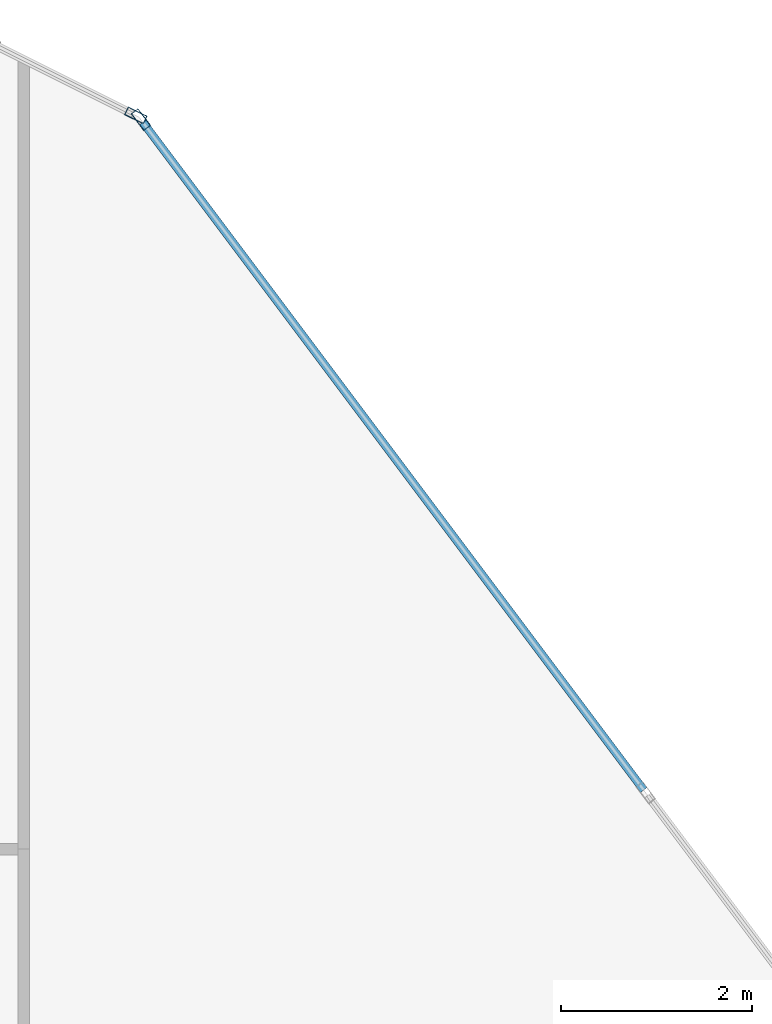
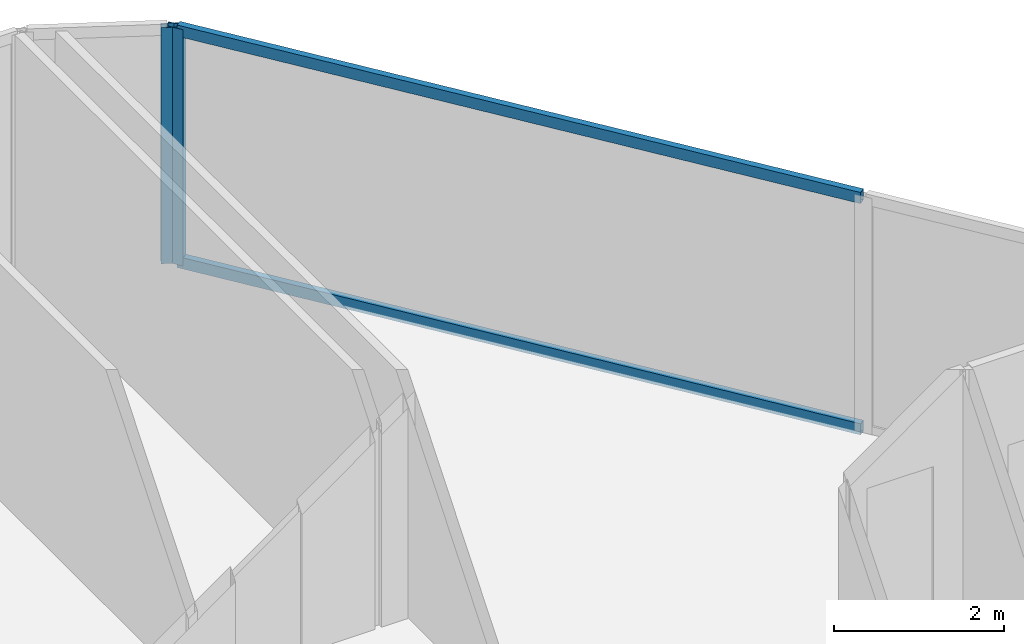
# One storey, part 17 of 33: 4 members, 2 elements without a shape of their own.
"""IFC4 building model written with IfcOpenShell, lengths in metres."""

from ifc_helpers import new_model, si_unit, direction, frame, origin, origin_2d, place, context, subcontext, project, spatial, hollow_rectangle, extrude, material, layer, layer_set, material_profile, profile_set, type_object, element, aggregate, save


model = new_model("IFC4")

# Units and contexts
model_context = context("Model", 3, precision=1e-05, world=origin(), true_north=direction((0.0, 1.0)))
body_context = subcontext(model_context, "Body", "Model", "MODEL_VIEW")
ifc_project = project(units=[si_unit("LENGTHUNIT", "METRE"), si_unit("AREAUNIT", "SQUARE_METRE"), si_unit("VOLUMEUNIT", "CUBIC_METRE"), si_unit("PLANEANGLEUNIT", "RADIAN"), si_unit("MASSUNIT", "GRAM", prefix="KILO")], contexts=[model_context])

# Site, building, storey
site_placement = place(None, origin())
site = spatial("IfcSite", under=ifc_project, at=site_placement, CompositionType="ELEMENT")
building_placement = place(site_placement, origin())
building = spatial("IfcBuilding", under=site, at=building_placement, Name="Keshet Zoharim Tower", CompositionType="ELEMENT")
storey_placement = place(building_placement, frame((0.0, 0.0, 35.10009765625)))
storey = spatial("IfcBuildingStorey", under=building, at=storey_placement, Name="L07", CompositionType="ELEMENT", Elevation=35.10009765625)

# Curtain wall, member
ifc_material = material(Name="Aluminium 6063-T6", Category="aluminium")
ifc_layer = layer(ifc_material, 0.169921875)
ifc_layer_set = layer_set([ifc_layer], Name="Aluminium 6063-T6")
curtain_wall_type = type_object("IfcCurtainWallType", Name="CW-SYS-02", PredefinedType="NOTDEFINED", material=ifc_layer_set)
curtain_wall_1_placement = place(storey_placement, origin())
curtain_wall_1 = element("IfcCurtainWall", 1, at=curtain_wall_1_placement, inside=storey, type_object=curtain_wall_type, Name="L07 Unitised Curtain Wall 08", PredefinedType="NOTDEFINED")
ifc_material_profile_1 = material_profile(ifc_material, hollow_rectangle(XDim=0.090087890625, YDim=0.219970703125, WallThickness=0.0048828125, at=origin_2d()), Name="MUL-90x220")
ifc_profile_set_1 = profile_set([ifc_material_profile_1], Name="Aluminium 6063-T6")
member_type_1 = type_object("IfcMemberType", Name="CWM-M22", PredefinedType="MULLION", material=ifc_profile_set_1)
member_1_placement = place(storey_placement, frame((51.568603515625, 53.11572265625, 0.0), z_axis=(0.0, 0.0, 1.0), x_axis=(0.447213595499, 0.894427191001, 0.0)))
member_1 = element("IfcMember", 2, at=member_1_placement, type_object=member_type_1, Name="CW-02 mullion 2", PredefinedType="MULLION", context=body_context, shape_type="SweptSolid", body=[
    extrude(hollow_rectangle(XDim=0.090087890625, YDim=0.219970703125, WallThickness=0.0048828125, at=origin_2d()), origin(), (0.0, 0.0, 1.0), 3.385009765625),
])
aggregate(curtain_wall_1, [member_1])

# Curtain wall, members
curtain_wall_2_placement = place(storey_placement, origin())
curtain_wall_2 = element("IfcCurtainWall", 3, at=curtain_wall_2_placement, inside=storey, type_object=curtain_wall_type, Name="L07 Unitised Curtain Wall 09", PredefinedType="NOTDEFINED")
member_2_placement = place(storey_placement, frame((51.62109375, 53.072021484375, 0.0), z_axis=(0.0, 0.0, 1.0), x_axis=(0.799999999998, 0.600000000002, 0.0)))
member_2 = element("IfcMember", 4, at=member_2_placement, type_object=member_type_1, Name="CW-02 mullion 1", PredefinedType="MULLION", context=body_context, shape_type="SweptSolid", body=[
    extrude(hollow_rectangle(XDim=0.090087890625, YDim=0.219970703125, WallThickness=0.0048828125, at=origin_2d()), origin(), (0.0, 0.0, 1.0), 3.385009765625),
])
ifc_material_profile_2 = material_profile(ifc_material, hollow_rectangle(XDim=0.0849609375, YDim=0.159912109375, WallThickness=0.00439453125, at=origin_2d()), Name="TRN-85x160")
ifc_profile_set_2 = profile_set([ifc_material_profile_2], Name="Aluminium 6063-T6")
member_type_2 = type_object("IfcMemberType", Name="CWT-T16", PredefinedType="USERDEFINED", material=ifc_profile_set_2)
member_3_placement = place(storey_placement, frame((51.64208984375, 53.0439453125, 0.034912109375), z_axis=(0.599991043201, -0.800006717521, 0.0), x_axis=(0.800006717521, 0.599991043201, 0.0)))
member_3 = element("IfcMember", 5, at=member_3_placement, type_object=member_type_2, Name="CW-02 transom 1.1", ObjectType="TRANSOM", PredefinedType="USERDEFINED", context=body_context, shape_type="SweptSolid", body=[
    extrude(hollow_rectangle(XDim=0.0849609375, YDim=0.159912109375, WallThickness=0.00439453125, at=origin_2d()), origin(), (0.0, 0.0, 1.0), 8.722412109375),
])
member_4_placement = place(storey_placement, frame((51.64208984375, 53.0439453125, 3.349853515625), z_axis=(0.599991043201, -0.800006717521, 0.0), x_axis=(0.800006717521, 0.599991043201, 0.0)))
member_4 = element("IfcMember", 6, at=member_4_placement, type_object=member_type_2, Name="CW-02 transom 1.2", ObjectType="TRANSOM", PredefinedType="USERDEFINED", context=body_context, shape_type="SweptSolid", body=[
    extrude(hollow_rectangle(XDim=0.0849609375, YDim=0.159912109375, WallThickness=0.00439453125, at=origin_2d()), origin(), (0.0, 0.0, 1.0), 8.722412109375),
])
aggregate(curtain_wall_2, [member_2, member_3, member_4])

save(model, "model.ifc")
